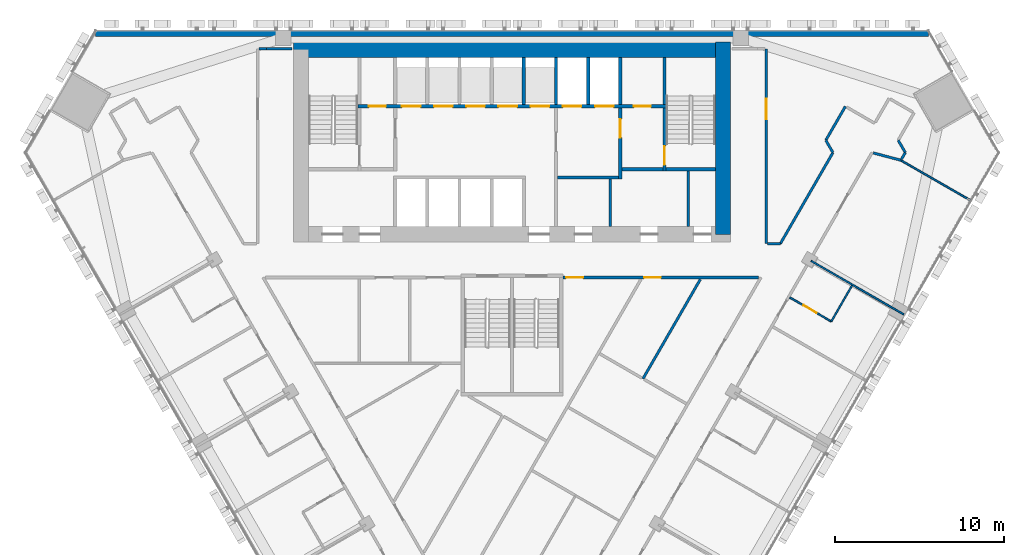
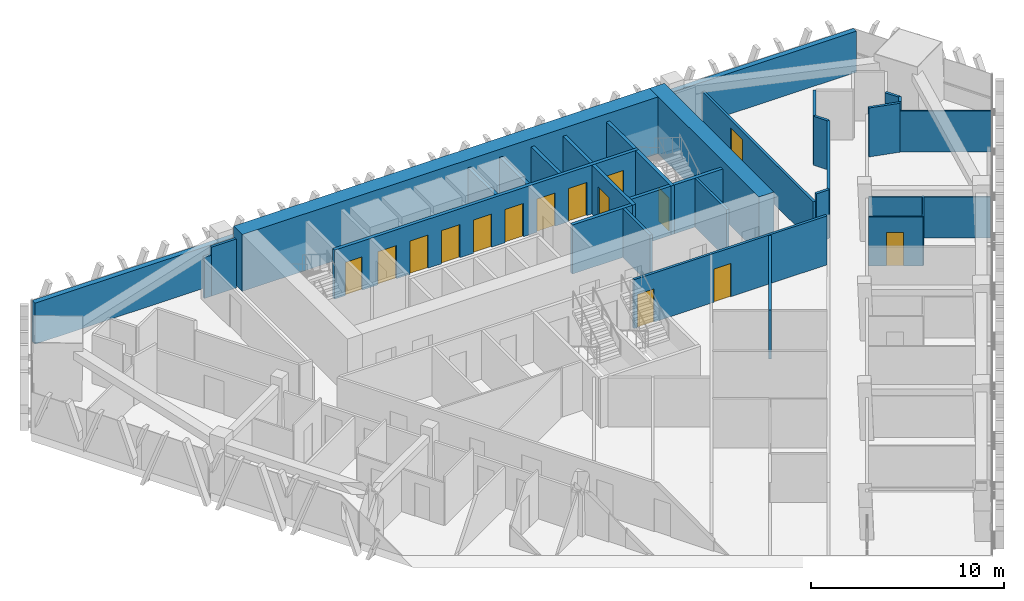
# One storey, part 12 of 16: 32 walls, 15 doors, 15 openings.
"""IFC4 building model written with IfcOpenShell, lengths in metres."""

from ifc_helpers import new_model, si_unit, direction, frame, frame_2d, origin, place, context, subcontext, project, spatial, rectangle, extrude, material, layer, layer_set, type_object, element, fill, save


model = new_model("IFC4")

# Units and contexts
model_context = context("Model", 3, precision=1e-05, world=origin(), true_north=direction((0.0, 1.0)))
body_context = subcontext(model_context, "Body", "Model", "MODEL_VIEW")
ifc_project = project(units=[si_unit("LENGTHUNIT", "METRE"), si_unit("AREAUNIT", "SQUARE_METRE"), si_unit("VOLUMEUNIT", "CUBIC_METRE"), si_unit("PLANEANGLEUNIT", "RADIAN"), si_unit("MASSUNIT", "GRAM", prefix="KILO")], contexts=[model_context])

# Site, building, storey
site_placement = place(None, origin())
site = spatial("IfcSite", under=ifc_project, at=site_placement, CompositionType="ELEMENT")
building_placement = place(site_placement, origin())
building = spatial("IfcBuilding", under=site, at=building_placement, Name="Altiplano Prism Tower", CompositionType="ELEMENT")
storey_placement = place(building_placement, frame((0.0, 0.0, 104.39990234375)))
storey = spatial("IfcBuildingStorey", under=building, at=storey_placement, Name="L26", CompositionType="ELEMENT", Elevation=104.39990234375)

# Walls
ifc_material_1 = material(Name="Concrete C70/85", Category="concrete")
ifc_layer_1 = layer(ifc_material_1, 0.89990234375)
ifc_layer_set_1 = layer_set([ifc_layer_1], Name="Concrete C70/85")
wall_type_1 = type_object("IfcWallType", Name="Core wall 900", PredefinedType="SHEAR", material=ifc_layer_set_1)
wall_1_placement = place(storey_placement, frame((97.449951171875, 92.949951171875, 0.0), z_axis=(0.0, 0.0, 1.0), x_axis=(0.0, 1.0, 0.0)))
element("IfcWall", 1, at=wall_1_placement, inside=storey, type_object=wall_type_1, Name="Core wall E L26", PredefinedType="SHEAR", context=body_context, shape_type="SweptSolid", body=[
    extrude(rectangle(XDim=11.35009765625, YDim=0.89990234375, at=frame_2d((5.675048828125, 0.0))), origin(), (0.0, 0.0, 1.0), 3.60009765625),
])
wall_2_placement = place(storey_placement, frame((97.449951171875, 103.85009765625, 0.0), z_axis=(0.0, 0.0, 1.0), x_axis=(-1.0, 0.0, 0.0)))
element("IfcWall", 2, at=wall_2_placement, inside=storey, type_object=wall_type_1, Name="Core wall N L26", PredefinedType="SHEAR", context=body_context, shape_type="SweptSolid", body=[
    extrude(rectangle(XDim=25.349853515625, YDim=0.89990234375, at=frame_2d((12.6748046875, 0.0))), origin(), (0.0, 0.0, 1.0), 3.60009765625),
])
ifc_material_2 = material(Name="Plasterboard on steel stud", Category="steel")
ifc_layer_2 = layer(ifc_material_2, 0.10009765625)
ifc_layer_set_2 = layer_set([ifc_layer_2], Name="Plasterboard on steel stud")
wall_type_2 = type_object("IfcWallType", Name="Partition 100 unit", PredefinedType="PARTITIONING", material=ifc_layer_set_2)
wall_3_placement = place(storey_placement, frame((105.073974609375, 89.9267578125, 0.0), z_axis=(0.0, 0.0, 1.0), x_axis=(-0.499943856944, -0.866057815567, 0.0)))
element("IfcWall", 3, at=wall_3_placement, inside=storey, type_object=wall_type_2, Name="Partition P02 L26 074", PredefinedType="PARTITIONING", context=body_context, shape_type="SweptSolid", body=[
    extrude(rectangle(XDim=2.449951171875, YDim=0.10009765625, at=frame_2d((1.22509765625, 0.0))), origin(), (0.0, 0.0, 1.0), 2.7001953125),
])

# Wall, opening, door
wall_4_placement = place(storey_placement, frame((103.84912109375, 87.804931640625, 0.0), z_axis=(0.0, 0.0, 1.0), x_axis=(-0.866011447264, 0.500024172624, 0.0)))
wall_4 = element("IfcWall", 4, at=wall_4_placement, inside=storey, type_object=wall_type_2, Name="Partition P02 L26 075", PredefinedType="PARTITIONING", context=body_context, shape_type="SweptSolid", body=[
    extrude(rectangle(XDim=2.824951171875, YDim=0.10009765625, at=frame_2d((1.41259765625, 0.0))), origin(), (0.0, 0.0, 1.0), 3.10009765625),
])
opening_1_placement = place(wall_4_placement, frame((1.0, 0.0, 0.0)))
opening_1 = element("IfcOpeningElement", 5, at=opening_1_placement, cuts=wall_4, Name="Opening D0976", PredefinedType="OPENING", context=body_context, shape_type="SweptSolid", body=[
    extrude(rectangle(XDim=0.89990234375, YDim=2.10009765625, at=frame_2d((0.449951171875, 1.050048828125))), frame((0.0, 0.060546875, 0.0), z_axis=(0.0, -1.0, 0.0), x_axis=(1.0, 0.0, 0.0)), (0.0, 0.0, 1.0), 0.12109375),
])
ifc_material_3 = material(Name="Timber", Category="wood")
door_type_1 = type_object("IfcDoorType", Name="Ensuite door 900 x 2100", OperationType="NOTDEFINED", PredefinedType="NOTDEFINED", material=ifc_material_3)
door_1_placement = place(opening_1_placement, origin())
door_1 = element("IfcDoor", 6, at=door_1_placement, inside=storey, type_object=door_type_1, Name="Door D0976", OperationType="SINGLE_SWING_LEFT", OverallHeight=2.10009765625, OverallWidth=0.89990234375, PredefinedType="NOTDEFINED", context=body_context, shape_type="SweptSolid", body=[
    extrude(rectangle(XDim=0.89990234375, YDim=2.10009765625, at=frame_2d((0.449951171875, 1.050048828125))), frame((0.0, 0.02490234375, 0.0), z_axis=(0.0, -1.0, 0.0), x_axis=(1.0, 0.0, 0.0)), (0.0, 0.0, 1.0), 0.050048828125),
])
fill(opening_1, door_1)

# Walls
ifc_layer_3 = layer(ifc_material_2, 0.10009765625)
ifc_layer_set_3 = layer_set([ifc_layer_3], Name="Plasterboard on steel stud")
wall_type_3 = type_object("IfcWallType", Name="Partition 100 wet", PredefinedType="PARTITIONING", material=ifc_layer_set_3)
wall_5_placement = place(storey_placement, frame((108.130126953125, 88.219970703125, 0.0), z_axis=(0.0, 0.0, 1.0), x_axis=(-0.866015887322, 0.500016482634, 0.0)))
element("IfcWall", 7, at=wall_5_placement, inside=storey, type_object=wall_type_3, Name="Partition P03 L26 076", PredefinedType="PARTITIONING", context=body_context, shape_type="SweptSolid", body=[
    extrude(rectangle(XDim=6.324951171875, YDim=0.10009765625, at=frame_2d((3.16259765625, 0.0))), origin(), (0.0, 0.0, 1.0), 2.60009765625),
])
wall_6_placement = place(storey_placement, frame((112.044677734375, 94.9599609375, 0.0), z_axis=(0.0, 0.0, 1.0), x_axis=(-0.866015897305, 0.500016465344, 0.0)))
element("IfcWall", 8, at=wall_6_placement, inside=storey, type_object=wall_type_3, Name="Partition P03 L26 077", PredefinedType="PARTITIONING", context=body_context, shape_type="SweptSolid", body=[
    extrude(rectangle(XDim=4.719970703125, YDim=0.10009765625, at=frame_2d((2.35986328125, 0.0))), origin(), (0.0, 0.0, 1.0), 2.60009765625),
])
ifc_layer_4 = layer(ifc_material_2, 0.14990234375)
ifc_layer_set_4 = layer_set([ifc_layer_4], Name="Plasterboard on steel stud")
wall_type_4 = type_object("IfcWallType", Name="Partition 150 corridor", PredefinedType="PARTITIONING", material=ifc_layer_set_4)
wall_7_placement = place(storey_placement, frame((106.325439453125, 97.754150390625, 0.0), z_axis=(0.0, 0.0, 1.0), x_axis=(0.966383581826, -0.257104595015, 0.0)))
element("IfcWall", 9, at=wall_7_placement, inside=storey, type_object=wall_type_4, Name="Partition P06 L26 006", PredefinedType="PARTITIONING", context=body_context, shape_type="SweptSolid", body=[
    extrude(rectangle(XDim=1.688232421875, YDim=0.14990234375, at=frame_2d((0.84423828125, 0.0))), origin(), (0.0, 0.0, 1.0), 3.10009765625),
])
wall_8_placement = place(storey_placement, frame((107.9931640625, 97.3828125, 0.0), z_axis=(0.0, 0.0, 1.0), x_axis=(0.500160228243, 0.8659328762, 0.0)))
element("IfcWall", 10, at=wall_8_placement, inside=storey, type_object=wall_type_4, Name="Partition P06 L26 007", PredefinedType="PARTITIONING", context=body_context, shape_type="SweptSolid", body=[
    extrude(rectangle(XDim=0.450439453125, YDim=0.14990234375, at=frame_2d((0.22509765625, 0.0))), origin(), (0.0, 0.0, 1.0), 3.10009765625),
])
wall_9_placement = place(storey_placement, frame((108.218505859375, 97.77294921875, 0.0), z_axis=(0.0, 0.0, 1.0), x_axis=(-0.500141944548, 0.86594343655, 0.0)))
element("IfcWall", 11, at=wall_9_placement, inside=storey, type_object=wall_type_4, Name="Partition P06 L26 008", PredefinedType="PARTITIONING", context=body_context, shape_type="SweptSolid", body=[
    extrude(rectangle(XDim=0.839599609375, YDim=0.14990234375, at=frame_2d((0.419921875, 0.0))), origin(), (0.0, 0.0, 1.0), 3.10009765625),
])
wall_10_placement = place(storey_placement, frame((104.680908203125, 100.5, 0.0), z_axis=(0.0, 0.0, 1.0), x_axis=(-0.500027479704, -0.866009537788, 0.0)))
element("IfcWall", 12, at=wall_10_placement, inside=storey, type_object=wall_type_4, Name="Partition P06 L26 013", PredefinedType="PARTITIONING", context=body_context, shape_type="SweptSolid", body=[
    extrude(rectangle(XDim=2.309326171875, YDim=0.14990234375, at=frame_2d((1.15478515625, 0.0))), origin(), (0.0, 0.0, 1.0), 3.10009765625),
])
wall_11_placement = place(storey_placement, frame((103.526123046875, 98.5, 0.0), z_axis=(0.0, 0.0, 1.0), x_axis=(0.500141944548, -0.86594343655, 0.0)))
element("IfcWall", 13, at=wall_11_placement, inside=storey, type_object=wall_type_4, Name="Partition P06 L26 014", PredefinedType="PARTITIONING", context=body_context, shape_type="SweptSolid", body=[
    extrude(rectangle(XDim=0.839599609375, YDim=0.14990234375, at=frame_2d((0.419921875, 0.0))), origin(), (0.0, 0.0, 1.0), 3.10009765625),
])
wall_12_placement = place(storey_placement, frame((103.946044921875, 97.77294921875, 0.0), z_axis=(0.0, 0.0, 1.0), x_axis=(-0.499990416364, -0.866030936828, 0.0)))
element("IfcWall", 14, at=wall_12_placement, inside=storey, type_object=wall_type_4, Name="Partition P06 L26 015", PredefinedType="PARTITIONING", context=body_context, shape_type="SweptSolid", body=[
    extrude(rectangle(XDim=6.2041015625, YDim=0.14990234375, at=frame_2d((3.10205078125, 0.0))), origin(), (0.0, 0.0, 1.0), 3.10009765625),
])
wall_13_placement = place(storey_placement, frame((100.843994140625, 92.39990234375, 0.0), z_axis=(0.0, 0.0, 1.0), x_axis=(-1.0, 0.0, 0.0)))
element("IfcWall", 15, at=wall_13_placement, inside=storey, type_object=wall_type_4, Name="Partition P06 L26 016", PredefinedType="PARTITIONING", context=body_context, shape_type="SweptSolid", body=[
    extrude(rectangle(XDim=0.76904296875, YDim=0.14990234375, at=frame_2d((0.384521484375, 0.0))), origin(), (0.0, 0.0, 1.0), 3.10009765625),
])

# Wall, opening, door
wall_14_placement = place(storey_placement, frame((100.0, 92.39990234375, 0.0), z_axis=(0.0, 0.0, 1.0), x_axis=(0.0, 1.0, 0.0)))
wall_14 = element("IfcWall", 16, at=wall_14_placement, inside=storey, type_object=wall_type_4, Name="Partition P06 L26 017", PredefinedType="PARTITIONING", context=body_context, shape_type="SweptSolid", body=[
    extrude(rectangle(XDim=11.5, YDim=0.14990234375, at=frame_2d((5.75, 0.0))), origin(), (0.0, 0.0, 1.0), 2.60009765625),
])
opening_2_placement = place(wall_14_placement, frame((7.343994140625, 0.0, 0.0)))
opening_2 = element("IfcOpeningElement", 17, at=opening_2_placement, cuts=wall_14, Name="Opening D0978", PredefinedType="OPENING", context=body_context, shape_type="SweptSolid", body=[
    extrude(rectangle(XDim=1.199951171875, YDim=2.10009765625, at=frame_2d((0.60009765625, 1.050048828125))), frame((0.0, 0.08544921875, 0.0), z_axis=(0.0, -1.0, 0.0), x_axis=(1.0, 0.0, 0.0)), (0.0, 0.0, 1.0), 0.1708984375),
])
door_type_2 = type_object("IfcDoorType", Name="Shared room door 1200 x 2100", OperationType="NOTDEFINED", PredefinedType="NOTDEFINED", material=ifc_material_3)
door_2_placement = place(opening_2_placement, origin())
door_2 = element("IfcDoor", 18, at=door_2_placement, inside=storey, type_object=door_type_2, Name="Door D0978", OperationType="SINGLE_SWING_LEFT", OverallHeight=2.10009765625, OverallWidth=1.199951171875, PredefinedType="NOTDEFINED", context=body_context, shape_type="SweptSolid", body=[
    extrude(rectangle(XDim=1.199951171875, YDim=2.10009765625, at=frame_2d((0.60009765625, 1.050048828125))), frame((0.0, 0.02490234375, 0.0), z_axis=(0.0, -1.0, 0.0), x_axis=(1.0, 0.0, 0.0)), (0.0, 0.0, 1.0), 0.050048828125),
])
fill(opening_2, door_2)

# Walls
wall_15_placement = place(storey_placement, frame((72.0, 103.89990234375, 0.0), z_axis=(0.0, 0.0, 1.0), x_axis=(-1.0, 0.0, 0.0)))
element("IfcWall", 19, at=wall_15_placement, inside=storey, type_object=wall_type_4, Name="Partition P06 L26 020", PredefinedType="PARTITIONING", context=body_context, shape_type="SweptSolid", body=[
    extrude(rectangle(XDim=1.493408203125, YDim=0.14990234375, at=frame_2d((0.74658203125, 0.0))), origin(), (0.0, 0.0, 1.0), 3.10009765625),
])
wall_16_placement = place(storey_placement, frame((70.506591796875, 103.89990234375, 0.0), z_axis=(0.0, 0.0, 1.0), x_axis=(-1.0, 0.0, 0.0)))
element("IfcWall", 20, at=wall_16_placement, inside=storey, type_object=wall_type_4, Name="Partition P06 L26 021", PredefinedType="PARTITIONING", context=body_context, shape_type="SweptSolid", body=[
    extrude(rectangle(XDim=0.431640625, YDim=0.14990234375, at=frame_2d((0.2158203125, 0.0))), origin(), (0.0, 0.0, 1.0), 2.60009765625),
])

# Wall, openings, doors
wall_17_placement = place(storey_placement, frame((88.0, 90.39990234375, 0.0), z_axis=(0.0, 0.0, 1.0), x_axis=(1.0, 0.0, 0.0)))
wall_17 = element("IfcWall", 21, at=wall_17_placement, inside=storey, type_object=wall_type_4, Name="Partition P06 L26 033", PredefinedType="PARTITIONING", context=body_context, shape_type="SweptSolid", body=[
    extrude(rectangle(XDim=11.559326171875, YDim=0.14990234375, at=frame_2d((5.77978515625, 0.0))), origin(), (0.0, 0.0, 1.0), 3.10009765625),
])
opening_3_placement = place(wall_17_placement, frame((0.199951171875, 0.0, 0.0)))
opening_3 = element("IfcOpeningElement", 22, at=opening_3_placement, cuts=wall_17, Name="Opening D0982", PredefinedType="OPENING", context=body_context, shape_type="SweptSolid", body=[
    extrude(rectangle(XDim=1.0, YDim=2.10009765625, at=frame_2d((0.5, 1.050048828125))), frame((0.0, 0.08544921875, 0.0), z_axis=(0.0, -1.0, 0.0), x_axis=(1.0, 0.0, 0.0)), (0.0, 0.0, 1.0), 0.1708984375),
])
opening_4_placement = place(wall_17_placement, frame((4.7958984375, 0.0, 0.0)))
opening_4 = element("IfcOpeningElement", 23, at=opening_4_placement, cuts=wall_17, Name="Opening D0990", PredefinedType="OPENING", context=body_context, shape_type="SweptSolid", body=[
    extrude(rectangle(XDim=1.0, YDim=2.10009765625, at=frame_2d((0.5, 1.050048828125))), frame((0.0, 0.08544921875, 0.0), z_axis=(0.0, -1.0, 0.0), x_axis=(1.0, 0.0, 0.0)), (0.0, 0.0, 1.0), 0.1708984375),
])
door_type_3 = type_object("IfcDoorType", Name="Room door 1000 x 2100", OperationType="NOTDEFINED", PredefinedType="NOTDEFINED", material=ifc_material_3)
door_3_placement = place(opening_3_placement, origin())
door_3 = element("IfcDoor", 24, at=door_3_placement, inside=storey, type_object=door_type_3, Name="Door D0982", OperationType="SINGLE_SWING_RIGHT", OverallHeight=2.10009765625, OverallWidth=1.0, PredefinedType="NOTDEFINED", context=body_context, shape_type="SweptSolid", body=[
    extrude(rectangle(XDim=1.0, YDim=2.10009765625, at=frame_2d((0.5, 1.050048828125))), frame((0.0, 0.02490234375, 0.0), z_axis=(0.0, -1.0, 0.0), x_axis=(1.0, 0.0, 0.0)), (0.0, 0.0, 1.0), 0.050048828125),
])
fill(opening_3, door_3)
door_4_placement = place(opening_4_placement, origin())
door_4 = element("IfcDoor", 25, at=door_4_placement, inside=storey, type_object=door_type_3, Name="Door D0990", OperationType="SINGLE_SWING_LEFT", OverallHeight=2.10009765625, OverallWidth=1.0, PredefinedType="NOTDEFINED", context=body_context, shape_type="SweptSolid", body=[
    extrude(rectangle(XDim=1.0, YDim=2.10009765625, at=frame_2d((0.5, 1.050048828125))), frame((0.0, 0.02490234375, 0.0), z_axis=(0.0, -1.0, 0.0), x_axis=(1.0, 0.0, 0.0)), (0.0, 0.0, 1.0), 0.050048828125),
])
fill(opening_4, door_4)

# Walls
ifc_layer_5 = layer(ifc_material_2, 0.14990234375)
ifc_layer_set_5 = layer_set([ifc_layer_5], Name="Plasterboard on steel stud")
wall_type_5 = type_object("IfcWallType", Name="Partition 150 party", PredefinedType="PARTITIONING", material=ifc_layer_set_5)
wall_18_placement = place(storey_placement, frame((96.116455078125, 90.28759765625, 0.0), z_axis=(0.0, 0.0, 1.0), x_axis=(-0.499994011983, -0.86602886094, 0.0)))
element("IfcWall", 26, at=wall_18_placement, inside=storey, type_object=wall_type_5, Name="Partition P01 L26 087", PredefinedType="PARTITIONING", context=body_context, shape_type="SweptSolid", body=[
    extrude(rectangle(XDim=6.7705078125, YDim=0.14990234375, at=frame_2d((3.38525390625, 0.0))), origin(), (0.0, 0.0, 1.0), 3.10009765625),
])
ifc_material_4 = material(Name="Fire-rated gypsum board partition")
ifc_layer_6 = layer(ifc_material_4, 0.14990234375)
ifc_layer_set_6 = layer_set([ifc_layer_6], Name="Fire-rated gypsum board partition")
wall_type_6 = type_object("IfcWallType", Name="Room partition 150", PredefinedType="PARTITIONING", material=ifc_layer_set_6)
wall_19_placement = place(storey_placement, frame((90.800048828125, 93.39990234375, 0.0), z_axis=(0.0, 0.0, 1.0), x_axis=(0.0, 1.0, 0.0)))
element("IfcWall", 27, at=wall_19_placement, inside=storey, type_object=wall_type_6, Name="Room partition L26", PredefinedType="PARTITIONING", context=body_context, shape_type="SweptSolid", body=[
    extrude(rectangle(XDim=2.800048828125, YDim=0.14990234375, at=frame_2d((1.39990234375, 0.0))), origin(), (0.0, 0.0, 1.0), 3.10009765625),
])
wall_20_placement = place(storey_placement, frame((95.39990234375, 93.39990234375, 0.0), z_axis=(0.0, 0.0, 1.0), x_axis=(0.0, 1.0, 0.0)))
element("IfcWall", 28, at=wall_20_placement, inside=storey, type_object=wall_type_6, Name="Room partition L26", PredefinedType="PARTITIONING", context=body_context, shape_type="SweptSolid", body=[
    extrude(rectangle(XDim=3.300048828125, YDim=0.14990234375, at=frame_2d((1.64990234375, 0.0))), origin(), (0.0, 0.0, 1.0), 3.10009765625),
])
ifc_material_5 = material(Name="Concrete C60/75", Category="concrete")
ifc_layer_7 = layer(ifc_material_5, 0.199951171875)
ifc_layer_set_7 = layer_set([ifc_layer_7], Name="Concrete C60/75")
wall_type_7 = type_object("IfcWallType", Name="Shaft wall 200", PredefinedType="SOLIDWALL", material=ifc_layer_set_7)
for number, where, z_axis, x_axis, name in (
    (29, (85.699951171875, 100.60009765625, 0.0), (0.0, 0.0, 1.0), (0.0, 1.0, 0.0), "Shaft wall L26"),
    (30, (87.60009765625, 100.60009765625, 0.0), (0.0, 0.0, 1.0), (0.0, 1.0, 0.0), "Shaft wall L26"),
    (31, (89.5, 100.60009765625, 0.0), (0.0, 0.0, 1.0), (0.0, 1.0, 0.0), "Shaft wall L26"),
    (32, (91.39990234375, 100.60009765625, 0.0), (0.0, 0.0, 1.0), (0.0, 1.0, 0.0), "Shaft wall L26"),
):
    element("IfcWall", number, at=place(storey_placement, frame(where, z_axis=z_axis, x_axis=x_axis)), inside=storey, type_object=wall_type_7, Name=name, PredefinedType="SOLIDWALL", context=body_context, shape_type="SweptSolid", body=[
        extrude(rectangle(XDim=2.7998046875, YDim=0.199951171875, at=frame_2d((1.39990234375, 0.0))), origin(), (0.0, 0.0, 1.0), 3.10009765625),
    ])

# Wall, opening, door
ifc_layer_8 = layer(ifc_material_5, 0.199951171875)
ifc_layer_set_8 = layer_set([ifc_layer_8], Name="Concrete C60/75")
wall_type_8 = type_object("IfcWallType", Name="Stair wall 200", PredefinedType="SOLIDWALL", material=ifc_layer_set_8)
wall_21_placement = place(storey_placement, frame((94.0, 96.699951171875, 0.0), z_axis=(0.0, 0.0, 1.0), x_axis=(0.0, 1.0, 0.0)))
wall_21 = element("IfcWall", 33, at=wall_21_placement, inside=storey, type_object=wall_type_8, Name="Stair wall L26", PredefinedType="SOLIDWALL", context=body_context, shape_type="SweptSolid", body=[
    extrude(rectangle(XDim=3.699951171875, YDim=0.199951171875, at=frame_2d((1.85009765625, 0.0))), origin(), (0.0, 0.0, 1.0), 3.10009765625),
])
opening_5_placement = place(wall_21_placement, frame((0.35009765625, 0.0, 0.0)))
opening_5 = element("IfcOpeningElement", 34, at=opening_5_placement, cuts=wall_21, Name="Opening D2934", PredefinedType="OPENING", context=body_context, shape_type="SweptSolid", body=[
    extrude(rectangle(XDim=1.10009765625, YDim=2.10009765625, at=frame_2d((0.550048828125, 1.050048828125))), frame((0.0, 0.1103515625, 0.0), z_axis=(0.0, -1.0, 0.0), x_axis=(1.0, 0.0, 0.0)), (0.0, 0.0, 1.0), 0.220947265625),
])
ifc_material_6 = material(Name="Fire-rated steel door", Category="steel")
door_type_4 = type_object("IfcDoorType", Name="Stair fire door 1100 x 2100", OperationType="NOTDEFINED", PredefinedType="NOTDEFINED", material=ifc_material_6)
door_5_placement = place(opening_5_placement, origin())
door_5 = element("IfcDoor", 35, at=door_5_placement, inside=storey, type_object=door_type_4, Name="Stair fire door D2934", OperationType="SINGLE_SWING_LEFT", OverallHeight=2.10009765625, OverallWidth=1.10009765625, PredefinedType="NOTDEFINED", context=body_context, shape_type="SweptSolid", body=[
    extrude(rectangle(XDim=1.10009765625, YDim=2.10009765625, at=frame_2d((0.550048828125, 1.050048828125))), frame((0.0, 0.02490234375, 0.0), z_axis=(0.0, -1.0, 0.0), x_axis=(1.0, 0.0, 0.0)), (0.0, 0.0, 1.0), 0.050048828125),
])
fill(opening_5, door_5)

# Wall
wall_22_placement = place(storey_placement, frame((94.10009765625, 96.800048828125, 0.0), z_axis=(0.0, 0.0, 1.0), x_axis=(1.0, 0.0, 0.0)))
element("IfcWall", 36, at=wall_22_placement, inside=storey, type_object=wall_type_8, Name="Stair wall L26", PredefinedType="SOLIDWALL", context=body_context, shape_type="SweptSolid", body=[
    extrude(rectangle(XDim=2.89990234375, YDim=0.199951171875, at=frame_2d((1.449951171875, 0.0))), origin(), (0.0, 0.0, 1.0), 3.10009765625),
])

# Wall, openings, doors
wall_23_placement = place(storey_placement, frame((75.89990234375, 100.5, 0.0), z_axis=(0.0, 0.0, 1.0), x_axis=(1.0, 0.0, 0.0)))
wall_23 = element("IfcWall", 37, at=wall_23_placement, inside=storey, type_object=wall_type_8, Name="Stair wall L26", PredefinedType="SOLIDWALL", context=body_context, shape_type="SweptSolid", body=[
    extrude(rectangle(XDim=18.2001953125, YDim=0.199951171875, at=frame_2d((9.10009765625, 0.0))), origin(), (0.0, 0.0, 1.0), 3.10009765625),
])
opening_6_placement = place(wall_23_placement, frame((2.60009765625, 0.0, 0.0)))
opening_6 = element("IfcOpeningElement", 38, at=opening_6_placement, cuts=wall_23, Name="Opening LD-LL1-L26", PredefinedType="OPENING", context=body_context, shape_type="SweptSolid", body=[
    extrude(rectangle(XDim=1.10009765625, YDim=2.10009765625, at=frame_2d((0.550048828125, 1.050048828125))), frame((0.0, 0.1103515625, 0.0), z_axis=(0.0, -1.0, 0.0), x_axis=(1.0, 0.0, 0.0)), (0.0, 0.0, 1.0), 0.220947265625),
])
opening_7_placement = place(wall_23_placement, frame((4.5, 0.0, 0.0)))
opening_7 = element("IfcOpeningElement", 39, at=opening_7_placement, cuts=wall_23, Name="Opening LD-LL2-L26", PredefinedType="OPENING", context=body_context, shape_type="SweptSolid", body=[
    extrude(rectangle(XDim=1.10009765625, YDim=2.10009765625, at=frame_2d((0.550048828125, 1.050048828125))), frame((0.0, 0.1103515625, 0.0), z_axis=(0.0, -1.0, 0.0), x_axis=(1.0, 0.0, 0.0)), (0.0, 0.0, 1.0), 0.220947265625),
])
opening_8_placement = place(wall_23_placement, frame((6.39990234375, 0.0, 0.0)))
opening_8 = element("IfcOpeningElement", 40, at=opening_8_placement, cuts=wall_23, Name="Opening LD-LL3-L26", PredefinedType="OPENING", context=body_context, shape_type="SweptSolid", body=[
    extrude(rectangle(XDim=1.10009765625, YDim=2.10009765625, at=frame_2d((0.550048828125, 1.050048828125))), frame((0.0, 0.1103515625, 0.0), z_axis=(0.0, -1.0, 0.0), x_axis=(1.0, 0.0, 0.0)), (0.0, 0.0, 1.0), 0.220947265625),
])
opening_9_placement = place(wall_23_placement, frame((8.300048828125, 0.0, 0.0)))
opening_9 = element("IfcOpeningElement", 41, at=opening_9_placement, cuts=wall_23, Name="Opening LD-LL4-L26", PredefinedType="OPENING", context=body_context, shape_type="SweptSolid", body=[
    extrude(rectangle(XDim=1.10009765625, YDim=2.10009765625, at=frame_2d((0.550048828125, 1.050048828125))), frame((0.0, 0.1103515625, 0.0), z_axis=(0.0, -1.0, 0.0), x_axis=(1.0, 0.0, 0.0)), (0.0, 0.0, 1.0), 0.220947265625),
])
opening_10_placement = place(wall_23_placement, frame((10.199951171875, 0.0, 0.0)))
opening_10 = element("IfcOpeningElement", 42, at=opening_10_placement, cuts=wall_23, Name="Opening LD-LL5-L26", PredefinedType="OPENING", context=body_context, shape_type="SweptSolid", body=[
    extrude(rectangle(XDim=1.10009765625, YDim=2.10009765625, at=frame_2d((0.550048828125, 1.050048828125))), frame((0.0, 0.1103515625, 0.0), z_axis=(0.0, -1.0, 0.0), x_axis=(1.0, 0.0, 0.0)), (0.0, 0.0, 1.0), 0.220947265625),
])
opening_11_placement = place(wall_23_placement, frame((12.10009765625, 0.0, 0.0)))
opening_11 = element("IfcOpeningElement", 43, at=opening_11_placement, cuts=wall_23, Name="Opening LD-FF1-L26", PredefinedType="OPENING", context=body_context, shape_type="SweptSolid", body=[
    extrude(rectangle(XDim=1.10009765625, YDim=2.10009765625, at=frame_2d((0.550048828125, 1.050048828125))), frame((0.0, 0.1103515625, 0.0), z_axis=(0.0, -1.0, 0.0), x_axis=(1.0, 0.0, 0.0)), (0.0, 0.0, 1.0), 0.220947265625),
])
opening_12_placement = place(wall_23_placement, frame((14.0, 0.0, 0.0)))
opening_12 = element("IfcOpeningElement", 44, at=opening_12_placement, cuts=wall_23, Name="Opening LD-FF2-L26", PredefinedType="OPENING", context=body_context, shape_type="SweptSolid", body=[
    extrude(rectangle(XDim=1.10009765625, YDim=2.10009765625, at=frame_2d((0.550048828125, 1.050048828125))), frame((0.0, 0.1103515625, 0.0), z_axis=(0.0, -1.0, 0.0), x_axis=(1.0, 0.0, 0.0)), (0.0, 0.0, 1.0), 0.220947265625),
])
opening_13_placement = place(wall_23_placement, frame((0.64990234375, 0.0, 0.0)))
opening_13 = element("IfcOpeningElement", 45, at=opening_13_placement, cuts=wall_23, Name="Opening D2941", PredefinedType="OPENING", context=body_context, shape_type="SweptSolid", body=[
    extrude(rectangle(XDim=1.0, YDim=2.10009765625, at=frame_2d((0.5, 1.050048828125))), frame((0.0, 0.1103515625, 0.0), z_axis=(0.0, -1.0, 0.0), x_axis=(1.0, 0.0, 0.0)), (0.0, 0.0, 1.0), 0.220947265625),
])
opening_14_placement = place(wall_23_placement, frame((16.300048828125, 0.0, 0.0)))
opening_14 = element("IfcOpeningElement", 46, at=opening_14_placement, cuts=wall_23, Name="Opening D2942", PredefinedType="OPENING", context=body_context, shape_type="SweptSolid", body=[
    extrude(rectangle(XDim=1.0, YDim=2.10009765625, at=frame_2d((0.5, 1.050048828125))), frame((0.0, 0.1103515625, 0.0), z_axis=(0.0, -1.0, 0.0), x_axis=(1.0, 0.0, 0.0)), (0.0, 0.0, 1.0), 0.220947265625),
])
door_type_5 = type_object("IfcDoorType", Name="Core room door 1000 x 2100", OperationType="NOTDEFINED", PredefinedType="NOTDEFINED", material=ifc_material_6)
door_6_placement = place(opening_13_placement, origin())
door_6 = element("IfcDoor", 47, at=door_6_placement, inside=storey, type_object=door_type_5, Name="Core room door D2941", OperationType="SINGLE_SWING_LEFT", OverallHeight=2.10009765625, OverallWidth=1.0, PredefinedType="NOTDEFINED", context=body_context, shape_type="SweptSolid", body=[
    extrude(rectangle(XDim=1.0, YDim=2.10009765625, at=frame_2d((0.5, 1.050048828125))), frame((0.0, 0.02490234375, 0.0), z_axis=(0.0, -1.0, 0.0), x_axis=(1.0, 0.0, 0.0)), (0.0, 0.0, 1.0), 0.050048828125),
])
fill(opening_13, door_6)
door_7_placement = place(opening_14_placement, origin())
door_7 = element("IfcDoor", 48, at=door_7_placement, inside=storey, type_object=door_type_5, Name="Core room door D2942", OperationType="SINGLE_SWING_RIGHT", OverallHeight=2.10009765625, OverallWidth=1.0, PredefinedType="NOTDEFINED", context=body_context, shape_type="SweptSolid", body=[
    extrude(rectangle(XDim=1.0, YDim=2.10009765625, at=frame_2d((0.5, 1.050048828125))), frame((0.0, 0.02490234375, 0.0), z_axis=(0.0, -1.0, 0.0), x_axis=(1.0, 0.0, 0.0)), (0.0, 0.0, 1.0), 0.050048828125),
])
fill(opening_14, door_7)
ifc_material_7 = material(Name="Stainless steel landing door", Category="steel")
door_type_6 = type_object("IfcDoorType", Name="Landing door 1100 x 2100", OperationType="NOTDEFINED", PredefinedType="NOTDEFINED", material=ifc_material_7)
door_8_placement = place(opening_6_placement, origin())
door_8 = element("IfcDoor", 49, at=door_8_placement, inside=storey, type_object=door_type_6, Name="Landing doors LL1", OperationType="SLIDING_TO_RIGHT", OverallHeight=2.10009765625, OverallWidth=1.10009765625, PredefinedType="NOTDEFINED", context=body_context, shape_type="SweptSolid", body=[
    extrude(rectangle(XDim=1.10009765625, YDim=2.10009765625, at=frame_2d((0.550048828125, 1.050048828125))), frame((0.0, 0.02490234375, 0.0), z_axis=(0.0, -1.0, 0.0), x_axis=(1.0, 0.0, 0.0)), (0.0, 0.0, 1.0), 0.050048828125),
])
fill(opening_6, door_8)
door_9_placement = place(opening_7_placement, origin())
door_9 = element("IfcDoor", 50, at=door_9_placement, inside=storey, type_object=door_type_6, Name="Landing doors LL2", OperationType="SLIDING_TO_LEFT", OverallHeight=2.10009765625, OverallWidth=1.10009765625, PredefinedType="NOTDEFINED", context=body_context, shape_type="SweptSolid", body=[
    extrude(rectangle(XDim=1.10009765625, YDim=2.10009765625, at=frame_2d((0.550048828125, 1.050048828125))), frame((0.0, 0.02490234375, 0.0), z_axis=(0.0, -1.0, 0.0), x_axis=(1.0, 0.0, 0.0)), (0.0, 0.0, 1.0), 0.050048828125),
])
fill(opening_7, door_9)
door_10_placement = place(opening_8_placement, origin())
door_10 = element("IfcDoor", 51, at=door_10_placement, inside=storey, type_object=door_type_6, Name="Landing doors LL3", OperationType="SLIDING_TO_RIGHT", OverallHeight=2.10009765625, OverallWidth=1.10009765625, PredefinedType="NOTDEFINED", context=body_context, shape_type="SweptSolid", body=[
    extrude(rectangle(XDim=1.10009765625, YDim=2.10009765625, at=frame_2d((0.550048828125, 1.050048828125))), frame((0.0, 0.02490234375, 0.0), z_axis=(0.0, -1.0, 0.0), x_axis=(1.0, 0.0, 0.0)), (0.0, 0.0, 1.0), 0.050048828125),
])
fill(opening_8, door_10)
door_11_placement = place(opening_9_placement, origin())
door_11 = element("IfcDoor", 52, at=door_11_placement, inside=storey, type_object=door_type_6, Name="Landing doors LL4", OperationType="SLIDING_TO_LEFT", OverallHeight=2.10009765625, OverallWidth=1.10009765625, PredefinedType="NOTDEFINED", context=body_context, shape_type="SweptSolid", body=[
    extrude(rectangle(XDim=1.10009765625, YDim=2.10009765625, at=frame_2d((0.550048828125, 1.050048828125))), frame((0.0, 0.02490234375, 0.0), z_axis=(0.0, -1.0, 0.0), x_axis=(1.0, 0.0, 0.0)), (0.0, 0.0, 1.0), 0.050048828125),
])
fill(opening_9, door_11)
door_12_placement = place(opening_10_placement, origin())
door_12 = element("IfcDoor", 53, at=door_12_placement, inside=storey, type_object=door_type_6, Name="Landing doors LL5", OperationType="SLIDING_TO_RIGHT", OverallHeight=2.10009765625, OverallWidth=1.10009765625, PredefinedType="NOTDEFINED", context=body_context, shape_type="SweptSolid", body=[
    extrude(rectangle(XDim=1.10009765625, YDim=2.10009765625, at=frame_2d((0.550048828125, 1.050048828125))), frame((0.0, 0.02490234375, 0.0), z_axis=(0.0, -1.0, 0.0), x_axis=(1.0, 0.0, 0.0)), (0.0, 0.0, 1.0), 0.050048828125),
])
fill(opening_10, door_12)
door_13_placement = place(opening_11_placement, origin())
door_13 = element("IfcDoor", 54, at=door_13_placement, inside=storey, type_object=door_type_6, Name="Landing doors FF1", OperationType="SLIDING_TO_RIGHT", OverallHeight=2.10009765625, OverallWidth=1.10009765625, PredefinedType="NOTDEFINED", context=body_context, shape_type="SweptSolid", body=[
    extrude(rectangle(XDim=1.10009765625, YDim=2.10009765625, at=frame_2d((0.550048828125, 1.050048828125))), frame((0.0, 0.02490234375, 0.0), z_axis=(0.0, -1.0, 0.0), x_axis=(1.0, 0.0, 0.0)), (0.0, 0.0, 1.0), 0.050048828125),
])
fill(opening_11, door_13)
door_14_placement = place(opening_12_placement, origin())
door_14 = element("IfcDoor", 55, at=door_14_placement, inside=storey, type_object=door_type_6, Name="Landing doors FF2", OperationType="SLIDING_TO_LEFT", OverallHeight=2.10009765625, OverallWidth=1.10009765625, PredefinedType="NOTDEFINED", context=body_context, shape_type="SweptSolid", body=[
    extrude(rectangle(XDim=1.10009765625, YDim=2.10009765625, at=frame_2d((0.550048828125, 1.050048828125))), frame((0.0, 0.02490234375, 0.0), z_axis=(0.0, -1.0, 0.0), x_axis=(1.0, 0.0, 0.0)), (0.0, 0.0, 1.0), 0.050048828125),
])
fill(opening_12, door_14)

# Walls
wall_24_placement = place(storey_placement, frame((94.0, 100.60009765625, 0.0), z_axis=(0.0, 0.0, 1.0), x_axis=(0.0, 1.0, 0.0)))
element("IfcWall", 56, at=wall_24_placement, inside=storey, type_object=wall_type_8, Name="Stair wall L26", PredefinedType="SOLIDWALL", context=body_context, shape_type="SweptSolid", body=[
    extrude(rectangle(XDim=2.7998046875, YDim=0.199951171875, at=frame_2d((1.39990234375, 0.0))), origin(), (0.0, 0.0, 1.0), 3.10009765625),
])
ifc_material_8 = material(Name="Concrete C40", Category="concrete")
ifc_layer_9 = layer(ifc_material_8, 0.300048828125)
ifc_layer_set_9 = layer_set([ifc_layer_9], Name="Concrete C40")
wall_type_9 = type_object("IfcWallType", Name="Stone-clad external wall 300", PredefinedType="SOLIDWALL", material=ifc_layer_set_9)
wall_25_placement = place(storey_placement, frame((60.41162109375, 104.7900390625, 0.0), z_axis=(0.0, 0.0, 1.0), x_axis=(1.0, 0.0, 0.0)))
element("IfcWall", 57, at=wall_25_placement, inside=storey, type_object=wall_type_9, Name="External wall north face L26", PredefinedType="SOLIDWALL", context=body_context, shape_type="SweptSolid", body=[
    extrude(rectangle(XDim=49.1767578125, YDim=0.300048828125, at=frame_2d((24.58837890625, 0.0))), origin(), (0.0, 0.0, 1.0), 2.60009765625),
])
ifc_layer_10 = layer(ifc_material_5, 0.199951171875)
ifc_layer_set_10 = layer_set([ifc_layer_10], Name="Concrete C60/75")
wall_type_10 = type_object("IfcWallType", Name="Vestibule wall 200", PredefinedType="PARTITIONING", material=ifc_layer_set_10)
wall_26_placement = place(storey_placement, frame((87.699951171875, 96.300048828125, 0.0), z_axis=(0.0, 0.0, 1.0), x_axis=(1.0, 0.0, 0.0)))
element("IfcWall", 58, at=wall_26_placement, inside=storey, type_object=wall_type_10, Name="Vestibule wall L26", PredefinedType="PARTITIONING", context=body_context, shape_type="SweptSolid", body=[
    extrude(rectangle(XDim=3.60009765625, YDim=0.199951171875, at=frame_2d((1.800048828125, 0.0))), origin(), (0.0, 0.0, 1.0), 3.10009765625),
])

# Wall, opening, door
wall_27_placement = place(storey_placement, frame((91.39990234375, 96.199951171875, 0.0), z_axis=(0.0, 0.0, 1.0), x_axis=(0.0, 1.0, 0.0)))
wall_27 = element("IfcWall", 59, at=wall_27_placement, inside=storey, type_object=wall_type_10, Name="Vestibule wall L26", PredefinedType="PARTITIONING", context=body_context, shape_type="SweptSolid", body=[
    extrude(rectangle(XDim=4.199951171875, YDim=0.199951171875, at=frame_2d((2.10009765625, 0.0))), origin(), (0.0, 0.0, 1.0), 3.10009765625),
])
opening_15_placement = place(wall_27_placement, frame((2.449951171875, 0.0, 0.0)))
opening_15 = element("IfcOpeningElement", 60, at=opening_15_placement, cuts=wall_27, Name="Opening D2937", PredefinedType="OPENING", context=body_context, shape_type="SweptSolid", body=[
    extrude(rectangle(XDim=1.10009765625, YDim=2.10009765625, at=frame_2d((0.550048828125, 1.050048828125))), frame((0.0, 0.1103515625, 0.0), z_axis=(0.0, -1.0, 0.0), x_axis=(1.0, 0.0, 0.0)), (0.0, 0.0, 1.0), 0.220947265625),
])
door_type_7 = type_object("IfcDoorType", Name="Vestibule fire door 1100 x 2100", OperationType="NOTDEFINED", PredefinedType="NOTDEFINED", material=ifc_material_6)
door_15_placement = place(opening_15_placement, origin())
door_15 = element("IfcDoor", 61, at=door_15_placement, inside=storey, type_object=door_type_7, Name="Vestibule fire door D2937", OperationType="SINGLE_SWING_LEFT", OverallHeight=2.10009765625, OverallWidth=1.10009765625, PredefinedType="NOTDEFINED", context=body_context, shape_type="SweptSolid", body=[
    extrude(rectangle(XDim=1.10009765625, YDim=2.10009765625, at=frame_2d((0.550048828125, 1.050048828125))), frame((0.0, 0.02490234375, 0.0), z_axis=(0.0, -1.0, 0.0), x_axis=(1.0, 0.0, 0.0)), (0.0, 0.0, 1.0), 0.050048828125),
])
fill(opening_15, door_15)

# Wall
wall_28_placement = place(storey_placement, frame((91.5, 96.800048828125, 0.0), z_axis=(0.0, 0.0, 1.0), x_axis=(1.0, 0.0, 0.0)))
element("IfcWall", 62, at=wall_28_placement, inside=storey, type_object=wall_type_10, Name="Vestibule wall L26", PredefinedType="PARTITIONING", context=body_context, shape_type="SweptSolid", body=[
    extrude(rectangle(XDim=2.39990234375, YDim=0.199951171875, at=frame_2d((1.199951171875, 0.0))), origin(), (0.0, 0.0, 1.0), 3.10009765625),
])

save(model, "model.ifc")
